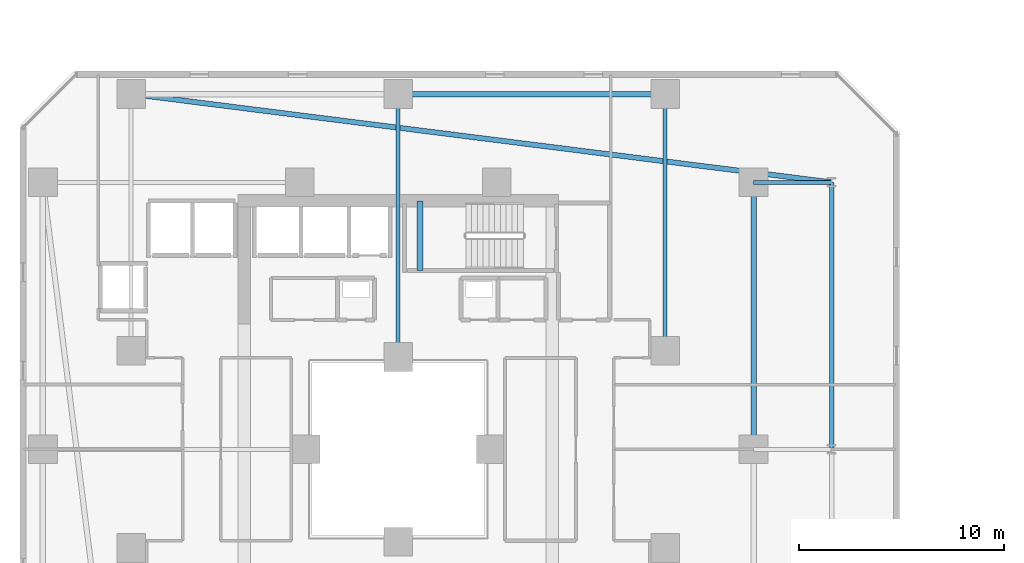
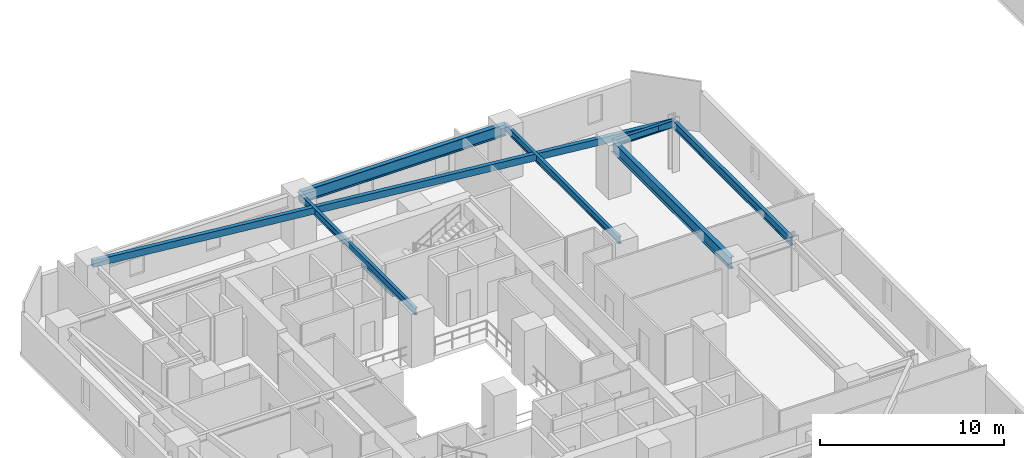
# One storey, part 9 of 35: 8 beams.
"""IFC4 building model written with IfcOpenShell, lengths in metres."""

from ifc_helpers import new_model, si_unit, direction, frame, origin, origin_2d, place, context, subcontext, project, spatial, rectangle, hollow_rectangle, i_section, extrude, material, material_profile, profile_set, type_object, element, save


model = new_model("IFC4")

# Units and contexts
model_context = context("Model", 3, precision=1e-05, world=origin(), true_north=direction((0.0, 1.0)))
body_context = subcontext(model_context, "Body", "Model", "MODEL_VIEW")
ifc_project = project(units=[si_unit("LENGTHUNIT", "METRE"), si_unit("AREAUNIT", "SQUARE_METRE"), si_unit("VOLUMEUNIT", "CUBIC_METRE"), si_unit("PLANEANGLEUNIT", "RADIAN"), si_unit("MASSUNIT", "GRAM", prefix="KILO")], contexts=[model_context])

# Site, building, storey
site_placement = place(None, origin())
site = spatial("IfcSite", under=ifc_project, at=site_placement, CompositionType="ELEMENT")
building_placement = place(site_placement, origin())
building = spatial("IfcBuilding", under=site, at=building_placement, Name="Thornwick Lancets Civic Towers", CompositionType="ELEMENT")
storey_placement = place(building_placement, frame((0.0, 0.0, 64.5)))
storey = spatial("IfcBuildingStorey", under=building, at=storey_placement, Name="L16", CompositionType="ELEMENT", Elevation=64.5)

# Beams
ifc_material_1 = material(Name="Steel S355JR", Category="steel")
ifc_material_profile_1 = material_profile(ifc_material_1, i_section(OverallWidth=0.2119140625, OverallDepth=0.54443359375, WebThickness=0.0126953125, FlangeThickness=0.021240234375, FilletRadius=0.0126953125, at=origin_2d()), Name="UKB 533x210x122")
ifc_profile_set_1 = profile_set([ifc_material_profile_1], Name="Steel S355JR")
beam_type_1 = type_object("IfcBeamType", Name="BM_EDGE_533_122", PredefinedType="SPANDREL", material=ifc_profile_set_1)
beam_1_placement = place(storey_placement, frame((46.60009765625, 27.080078125, 3.087646484375), z_axis=(0.0, 1.0, 0.0), x_axis=(-1.0, 0.0, 0.0)))
element("IfcBeam", 1, at=beam_1_placement, inside=storey, type_object=beam_type_1, Name="BM-EDGE-L16-A-S1-2", PredefinedType="SPANDREL", context=body_context, shape_type="SweptSolid", body=[
    extrude(i_section(OverallWidth=0.2119140625, OverallDepth=0.54443359375, WebThickness=0.0126953125, FlangeThickness=0.021240234375, FilletRadius=0.0126953125, at=origin_2d()), origin(), (0.0, 0.0, 1.0), 12.919921875),
])
ifc_material_profile_2 = material_profile(ifc_material_1, i_section(OverallWidth=0.26806640625, OverallDepth=0.769775390625, WebThickness=0.015625, FlangeThickness=0.025390625, FilletRadius=0.0166015625, at=origin_2d()), Name="UKB 762x267x197")
ifc_profile_set_2 = profile_set([ifc_material_profile_2], Name="Steel S355JR")
beam_type_2 = type_object("IfcBeamType", Name="BM_GIRD_762_197", PredefinedType="BEAM", material=ifc_profile_set_2)
for number, where, z_axis, x_axis, name in (
    (2, (42.800048828125, 27.080078125, 2.97509765625), (0.0, 1.0, 0.0), (-1.0, 0.0, 0.0), "BM-SPINE-L16-A-4-5"),
    (3, (25.580078125, 44.300048828125, 2.97509765625), (1.0, 0.0, 0.0), (0.0, 1.0, 0.0), "BM-SPINE-L16-A-7-8"),
):
    element("IfcBeam", number, at=place(storey_placement, frame(where, z_axis=z_axis, x_axis=x_axis)), inside=storey, type_object=beam_type_2, Name=name, PredefinedType="BEAM", context=body_context, shape_type="SweptSolid", body=[
        extrude(i_section(OverallWidth=0.26806640625, OverallDepth=0.769775390625, WebThickness=0.015625, FlangeThickness=0.025390625, FilletRadius=0.0166015625, at=origin_2d()), origin(), (0.0, 0.0, 1.0), 12.919921875),
    ])
ifc_material_profile_3 = material_profile(ifc_material_1, i_section(OverallWidth=0.19287109375, OverallDepth=0.46728515625, WebThickness=0.011474609375, FlangeThickness=0.01953125, FilletRadius=0.01025390625, at=origin_2d()), Name="UKB 457x191x98")
ifc_profile_set_3 = profile_set([ifc_material_profile_3], Name="Steel S355JR")
beam_type_3 = type_object("IfcBeamType", Name="BM_JOIST_457_98", PredefinedType="JOIST", material=ifc_profile_set_3)
beam_2_placement = place(storey_placement, frame((42.800048828125, 40.0, 3.12646484375), z_axis=(1.0, 0.0, 0.0), x_axis=(0.0, 1.0, 0.0)))
element("IfcBeam", 4, at=beam_2_placement, inside=storey, type_object=beam_type_3, Name="BM-RAD-L16-A06", PredefinedType="JOIST", context=body_context, shape_type="SweptSolid", body=[
    extrude(i_section(OverallWidth=0.19287109375, OverallDepth=0.46728515625, WebThickness=0.011474609375, FlangeThickness=0.01953125, FilletRadius=0.01025390625, at=origin_2d()), origin(), (0.0, 0.0, 1.0), 3.800048828125),
])
beam_3_placement = place(storey_placement, frame((25.5, 31.5, 3.12646484375), z_axis=(0.0, 1.0, 0.0), x_axis=(-1.0, 0.0, 0.0)))
element("IfcBeam", 5, at=beam_3_placement, inside=storey, type_object=beam_type_3, Name="BM-RADIN-L16-A08", PredefinedType="JOIST", context=body_context, shape_type="SweptSolid", body=[
    extrude(i_section(OverallWidth=0.19287109375, OverallDepth=0.46728515625, WebThickness=0.011474609375, FlangeThickness=0.01953125, FilletRadius=0.01025390625, at=origin_2d()), origin(), (0.0, 0.0, 1.0), 12.800048828125),
])
beam_4_placement = place(storey_placement, frame((38.5, 31.800048828125, 3.12646484375), z_axis=(0.0, 1.0, 0.0), x_axis=(-1.0, 0.0, 0.0)))
element("IfcBeam", 6, at=beam_4_placement, inside=storey, type_object=beam_type_3, Name="BM-RADIN-L16-A09", PredefinedType="JOIST", context=body_context, shape_type="SweptSolid", body=[
    extrude(i_section(OverallWidth=0.19287109375, OverallDepth=0.46728515625, WebThickness=0.011474609375, FlangeThickness=0.01953125, FilletRadius=0.01025390625, at=origin_2d()), origin(), (0.0, 0.0, 1.0), 12.5),
])
ifc_material_profile_4 = material_profile(ifc_material_1, hollow_rectangle(XDim=0.25, YDim=0.449951171875, WallThickness=0.01611328125, at=origin_2d()), Name="RHS 450x250x16")
ifc_profile_set_4 = profile_set([ifc_material_profile_4], Name="Steel S355JR")
beam_type_4 = type_object("IfcBeamType", Name="BM_RING_RHS450", PredefinedType="BEAM", material=ifc_profile_set_4)
beam_5_placement = place(storey_placement, frame((46.60009765625, 40.0, 3.135009765625), z_axis=(-0.992142878225, 0.12510998836, 0.0), x_axis=(-0.12510998836, -0.992142878225, 0.0)))
element("IfcBeam", 7, at=beam_5_placement, inside=storey, type_object=beam_type_4, Name="BM-CHAMF-L16-A-C1", PredefinedType="BEAM", context=body_context, shape_type="SweptSolid", body=[
    extrude(hollow_rectangle(XDim=0.25, YDim=0.449951171875, WallThickness=0.01611328125, at=origin_2d()), origin(), (0.0, 0.0, 1.0), 34.3701171875),
])
ifc_material_2 = material(Name="Concrete C40/50", Category="concrete")
ifc_material_profile_5 = material_profile(ifc_material_2, rectangle(XDim=0.300048828125, YDim=0.35009765625, at=origin_2d()), Name="RC 300x350")
ifc_profile_set_5 = profile_set([ifc_material_profile_5], Name="Concrete C40/50")
beam_type_5 = type_object("IfcBeamType", Name="BM_STAIR_LDG", PredefinedType="BEAM", material=ifc_profile_set_5)
beam_6_placement = place(storey_placement, frame((26.56494140625, 39.10009765625, 1.3779296875), z_axis=(0.0, -1.0, 0.0), x_axis=(1.0, 0.0, 0.0)))
element("IfcBeam", 8, at=beam_6_placement, inside=storey, type_object=beam_type_5, Name="L16 ST-A2 Landing Support Beam 1", PredefinedType="BEAM", context=body_context, shape_type="SweptSolid", body=[
    extrude(rectangle(XDim=0.300048828125, YDim=0.35009765625, at=origin_2d()), origin(), (0.0, 0.0, 1.0), 3.400146484375),
])

save(model, "model.ifc")
